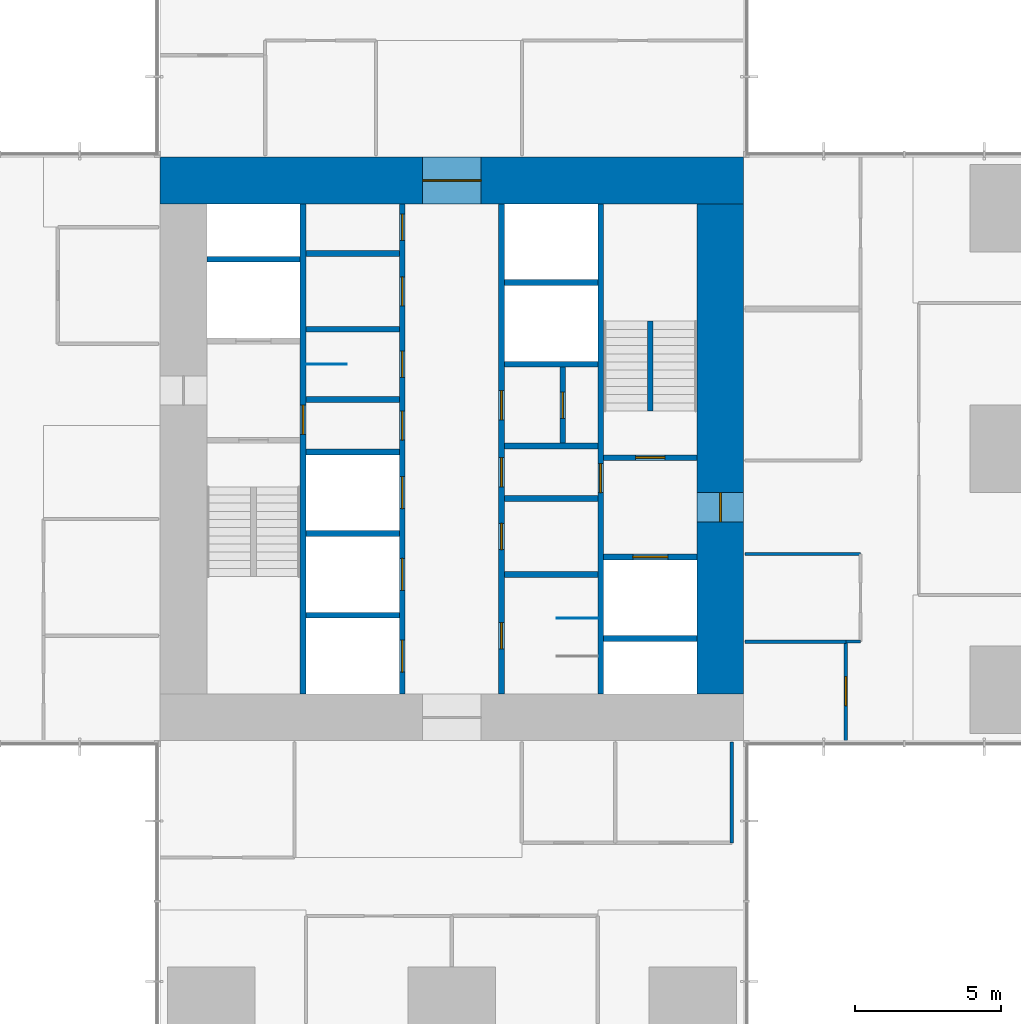
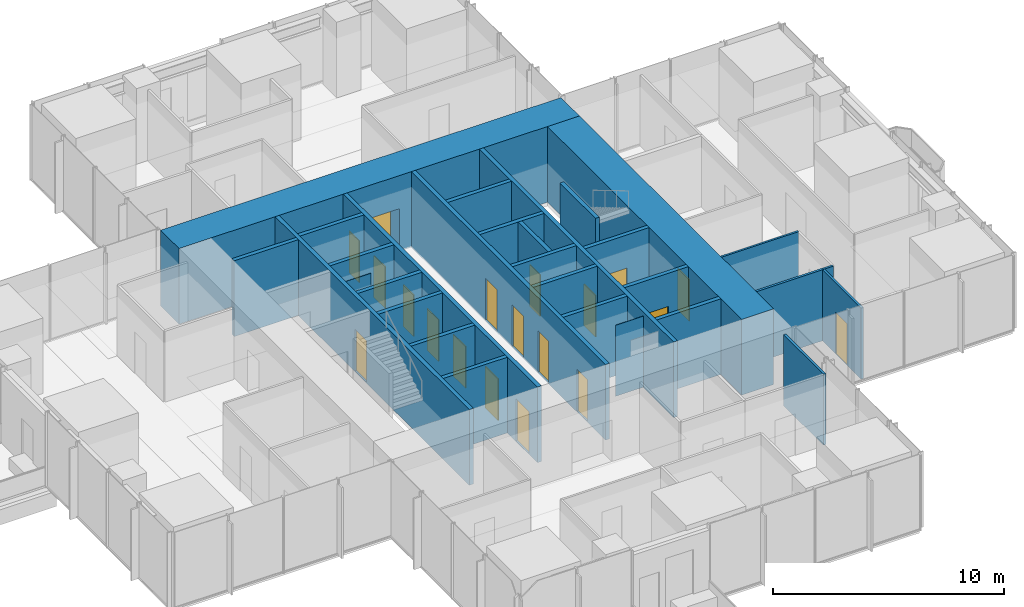
# One storey, part 9 of 13: 30 walls, 19 doors, 19 openings.
"""IFC4 building model written with IfcOpenShell, lengths in metres."""

from ifc_helpers import new_model, si_unit, direction, frame, frame_2d, origin, place, context, subcontext, project, spatial, rectangle, extrude, material, layer, layer_set, type_object, element, fill, save


model = new_model("IFC4")

# Units and contexts
model_context = context("Model", 3, precision=1e-05, world=origin(), true_north=direction((0.0, 1.0)))
body_context = subcontext(model_context, "Body", "Model", "MODEL_VIEW")
ifc_project = project(units=[si_unit("LENGTHUNIT", "METRE"), si_unit("AREAUNIT", "SQUARE_METRE"), si_unit("VOLUMEUNIT", "CUBIC_METRE"), si_unit("PLANEANGLEUNIT", "RADIAN"), si_unit("MASSUNIT", "GRAM", prefix="KILO")], contexts=[model_context])

# Site, building, storey
site_placement = place(None, origin())
site = spatial("IfcSite", under=ifc_project, at=site_placement, CompositionType="ELEMENT")
building_placement = place(site_placement, origin())
building = spatial("IfcBuilding", under=site, at=building_placement, Name="Svetlomir Tower", CompositionType="ELEMENT")
storey_placement = place(building_placement, frame((0.0, 0.0, 116.5)))
storey = spatial("IfcBuildingStorey", under=building, at=storey_placement, Name="L27", CompositionType="ELEMENT", Elevation=116.5)

# Wall, opening, door
ifc_material_1 = material(Name="Concrete C60/75", Category="concrete")
ifc_layer_1 = layer(ifc_material_1, 0.199951171875)
ifc_layer_set_1 = layer_set([ifc_layer_1], Name="Concrete C60/75")
wall_type_1 = type_object("IfcWallType", Name="CORE INNER WALL 200", PredefinedType="SHEAR", material=ifc_layer_set_1)
wall_1_placement = place(storey_placement, frame((15.89990234375, 12.60009765625, -0.050048828125), z_axis=(0.0, 0.0, 1.0), x_axis=(0.0, 1.0, 0.0)))
wall_1 = element("IfcWall", 1, at=wall_1_placement, inside=storey, type_object=wall_type_1, Name="Core inner wall 15.9 L27", PredefinedType="SHEAR", context=body_context, shape_type="SweptSolid", body=[
    extrude(rectangle(XDim=16.7998046875, YDim=0.199951171875, at=frame_2d((8.39990234375, 0.0))), origin(), (0.0, 0.0, 1.0), 4.0),
])
opening_1_placement = place(wall_1_placement, frame((8.89990234375, 0.0, 0.050048828125)))
opening_1 = element("IfcOpeningElement", 2, at=opening_1_placement, cuts=wall_1, Name="Opening DF", PredefinedType="OPENING", context=body_context, shape_type="SweptSolid", body=[
    extrude(rectangle(XDim=1.0, YDim=2.199951171875, at=frame_2d((0.5, 1.10009765625))), frame((0.0, 0.10986328125, 0.0), z_axis=(0.0, -1.0, 0.0), x_axis=(1.0, 0.0, 0.0)), (0.0, 0.0, 1.0), 0.219970703125),
])
ifc_material_2 = material(Name="Steel fire door", Category="steel")
door_type_1 = type_object("IfcDoorType", Name="DOOR DF 1000x2200", OperationType="SINGLE_SWING_LEFT", PredefinedType="DOOR", material=ifc_material_2)
door_1_placement = place(opening_1_placement, origin())
door_1 = element("IfcDoor", 3, at=door_1_placement, inside=storey, type_object=door_type_1, Name="Core corridor west door L27", OperationType="SINGLE_SWING_LEFT", OverallHeight=2.199951171875, OverallWidth=1.0, PredefinedType="DOOR", context=body_context, shape_type="SweptSolid", body=[
    extrude(rectangle(XDim=1.0, YDim=2.199951171875, at=frame_2d((0.5, 1.10009765625))), frame((0.0, 0.02490234375, 0.0), z_axis=(0.0, -1.0, 0.0), x_axis=(1.0, 0.0, 0.0)), (0.0, 0.0, 1.0), 0.050048828125),
])
fill(opening_1, door_1)

# Wall, openings, doors
wall_2_placement = place(storey_placement, frame((19.300048828125, 12.60009765625, -0.050048828125), z_axis=(0.0, 0.0, 1.0), x_axis=(0.0, 1.0, 0.0)))
wall_2 = element("IfcWall", 4, at=wall_2_placement, inside=storey, type_object=wall_type_1, Name="Core inner wall 19.3 L27", PredefinedType="SHEAR", context=body_context, shape_type="SweptSolid", body=[
    extrude(rectangle(XDim=16.7998046875, YDim=0.199951171875, at=frame_2d((8.39990234375, 0.0))), origin(), (0.0, 0.0, 1.0), 4.0),
])
opening_2_placement = place(wall_2_placement, frame((8.699951171875, 0.0, 0.050048828125)))
opening_2 = element("IfcOpeningElement", 5, at=opening_2_placement, cuts=wall_2, Name="Opening DC", PredefinedType="OPENING", context=body_context, shape_type="SweptSolid", body=[
    extrude(rectangle(XDim=1.0, YDim=2.199951171875, at=frame_2d((0.5, 1.10009765625))), frame((0.0, 0.10986328125, 0.0), z_axis=(0.0, -1.0, 0.0), x_axis=(1.0, 0.0, 0.0)), (0.0, 0.0, 1.0), 0.219970703125),
])
opening_3_placement = place(wall_2_placement, frame((10.85009765625, 0.0, 0.050048828125)))
opening_3 = element("IfcOpeningElement", 6, at=opening_3_placement, cuts=wall_2, Name="Opening DW", PredefinedType="OPENING", context=body_context, shape_type="SweptSolid", body=[
    extrude(rectangle(XDim=0.89990234375, YDim=2.199951171875, at=frame_2d((0.449951171875, 1.10009765625))), frame((0.0, 0.10986328125, 0.0), z_axis=(0.0, -1.0, 0.0), x_axis=(1.0, 0.0, 0.0)), (0.0, 0.0, 1.0), 0.219970703125),
])
opening_4_placement = place(wall_2_placement, frame((13.300048828125, 0.0, 0.050048828125)))
opening_4 = element("IfcOpeningElement", 7, at=opening_4_placement, cuts=wall_2, Name="Opening DC", PredefinedType="OPENING", context=body_context, shape_type="SweptSolid", body=[
    extrude(rectangle(XDim=1.0, YDim=2.199951171875, at=frame_2d((0.5, 1.10009765625))), frame((0.0, 0.10986328125, 0.0), z_axis=(0.0, -1.0, 0.0), x_axis=(1.0, 0.0, 0.0)), (0.0, 0.0, 1.0), 0.219970703125),
])
opening_5_placement = place(wall_2_placement, frame((15.550048828125, 0.0, 0.050048828125)))
opening_5 = element("IfcOpeningElement", 8, at=opening_5_placement, cuts=wall_2, Name="Opening DW", PredefinedType="OPENING", context=body_context, shape_type="SweptSolid", body=[
    extrude(rectangle(XDim=0.89990234375, YDim=2.199951171875, at=frame_2d((0.449951171875, 1.10009765625))), frame((0.0, 0.10986328125, 0.0), z_axis=(0.0, -1.0, 0.0), x_axis=(1.0, 0.0, 0.0)), (0.0, 0.0, 1.0), 0.219970703125),
])
opening_6_placement = place(wall_2_placement, frame((0.75, 0.0, 0.050048828125)))
opening_6 = element("IfcOpeningElement", 9, at=opening_6_placement, cuts=wall_2, Name="Opening LD", PredefinedType="OPENING", context=body_context, shape_type="SweptSolid", body=[
    extrude(rectangle(XDim=1.10009765625, YDim=2.199951171875, at=frame_2d((0.550048828125, 1.10009765625))), frame((0.0, 0.10986328125, 0.0), z_axis=(0.0, -1.0, 0.0), x_axis=(1.0, 0.0, 0.0)), (0.0, 0.0, 1.0), 0.219970703125),
])
opening_7_placement = place(wall_2_placement, frame((3.550048828125, 0.0, 0.050048828125)))
opening_7 = element("IfcOpeningElement", 10, at=opening_7_placement, cuts=wall_2, Name="Opening LD", PredefinedType="OPENING", context=body_context, shape_type="SweptSolid", body=[
    extrude(rectangle(XDim=1.10009765625, YDim=2.199951171875, at=frame_2d((0.550048828125, 1.10009765625))), frame((0.0, 0.10986328125, 0.0), z_axis=(0.0, -1.0, 0.0), x_axis=(1.0, 0.0, 0.0)), (0.0, 0.0, 1.0), 0.219970703125),
])
opening_8_placement = place(wall_2_placement, frame((6.35009765625, 0.0, 0.050048828125)))
opening_8 = element("IfcOpeningElement", 11, at=opening_8_placement, cuts=wall_2, Name="Opening LD", PredefinedType="OPENING", context=body_context, shape_type="SweptSolid", body=[
    extrude(rectangle(XDim=1.10009765625, YDim=2.199951171875, at=frame_2d((0.550048828125, 1.10009765625))), frame((0.0, 0.10986328125, 0.0), z_axis=(0.0, -1.0, 0.0), x_axis=(1.0, 0.0, 0.0)), (0.0, 0.0, 1.0), 0.219970703125),
])
ifc_material_3 = material(Name="Timber fire door", Category="wood")
door_type_2 = type_object("IfcDoorType", Name="DOOR DC 1000x2200", OperationType="SINGLE_SWING_LEFT", PredefinedType="DOOR", material=ifc_material_3)
door_2_placement = place(opening_2_placement, origin())
door_2 = element("IfcDoor", 12, at=door_2_placement, inside=storey, type_object=door_type_2, Name="Core corridor west lobby door L27", OperationType="SINGLE_SWING_LEFT", OverallHeight=2.199951171875, OverallWidth=1.0, PredefinedType="DOOR", context=body_context, shape_type="SweptSolid", body=[
    extrude(rectangle(XDim=1.0, YDim=2.199951171875, at=frame_2d((0.5, 1.10009765625))), frame((0.0, 0.02490234375, 0.0), z_axis=(0.0, -1.0, 0.0), x_axis=(1.0, 0.0, 0.0)), (0.0, 0.0, 1.0), 0.050048828125),
])
fill(opening_2, door_2)
door_3_placement = place(opening_4_placement, origin())
door_3 = element("IfcDoor", 13, at=door_3_placement, inside=storey, type_object=door_type_2, Name="Accessible WC door L27", OperationType="SINGLE_SWING_RIGHT", OverallHeight=2.199951171875, OverallWidth=1.0, PredefinedType="DOOR", context=body_context, shape_type="SweptSolid", body=[
    extrude(rectangle(XDim=1.0, YDim=2.199951171875, at=frame_2d((0.5, 1.10009765625))), frame((0.0, 0.02490234375, 0.0), z_axis=(0.0, -1.0, 0.0), x_axis=(1.0, 0.0, 0.0)), (0.0, 0.0, 1.0), 0.050048828125),
])
fill(opening_4, door_3)
ifc_material_4 = material(Name="Timber fire door", Category="wood")
door_type_3 = type_object("IfcDoorType", Name="DOOR DW 900x2200", OperationType="SINGLE_SWING_LEFT", PredefinedType="DOOR", material=ifc_material_4)
door_4_placement = place(opening_3_placement, origin())
door_4 = element("IfcDoor", 14, at=door_4_placement, inside=storey, type_object=door_type_3, Name="Female WC door L27", OperationType="SINGLE_SWING_LEFT", OverallHeight=2.199951171875, OverallWidth=0.89990234375, PredefinedType="DOOR", context=body_context, shape_type="SweptSolid", body=[
    extrude(rectangle(XDim=0.89990234375, YDim=2.199951171875, at=frame_2d((0.449951171875, 1.10009765625))), frame((0.0, 0.02490234375, 0.0), z_axis=(0.0, -1.0, 0.0), x_axis=(1.0, 0.0, 0.0)), (0.0, 0.0, 1.0), 0.050048828125),
])
fill(opening_3, door_4)
door_5_placement = place(opening_5_placement, origin())
door_5 = element("IfcDoor", 15, at=door_5_placement, inside=storey, type_object=door_type_3, Name="IT floor distributor room door L27", OperationType="SINGLE_SWING_LEFT", OverallHeight=2.199951171875, OverallWidth=0.89990234375, PredefinedType="DOOR", context=body_context, shape_type="SweptSolid", body=[
    extrude(rectangle(XDim=0.89990234375, YDim=2.199951171875, at=frame_2d((0.449951171875, 1.10009765625))), frame((0.0, 0.02490234375, 0.0), z_axis=(0.0, -1.0, 0.0), x_axis=(1.0, 0.0, 0.0)), (0.0, 0.0, 1.0), 0.050048828125),
])
fill(opening_5, door_5)
ifc_material_5 = material(Name="Stainless steel landing door", Category="steel")
door_type_4 = type_object("IfcDoorType", Name="LIFT LANDING DOOR LD 1100x2200", OperationType="DOUBLE_DOOR_SLIDING", PredefinedType="DOOR", material=ifc_material_5)
door_6_placement = place(opening_6_placement, origin())
door_6 = element("IfcDoor", 16, at=door_6_placement, inside=storey, type_object=door_type_4, Name="Landing door lift LB1 L27", OperationType="DOUBLE_DOOR_SLIDING", OverallHeight=2.199951171875, OverallWidth=1.10009765625, PredefinedType="DOOR", context=body_context, shape_type="SweptSolid", body=[
    extrude(rectangle(XDim=1.10009765625, YDim=2.199951171875, at=frame_2d((0.550048828125, 1.10009765625))), frame((0.0, 0.02490234375, 0.0), z_axis=(0.0, -1.0, 0.0), x_axis=(1.0, 0.0, 0.0)), (0.0, 0.0, 1.0), 0.050048828125),
])
fill(opening_6, door_6)
door_7_placement = place(opening_7_placement, origin())
door_7 = element("IfcDoor", 17, at=door_7_placement, inside=storey, type_object=door_type_4, Name="Landing door lift LB2 L27", OperationType="DOUBLE_DOOR_SLIDING", OverallHeight=2.199951171875, OverallWidth=1.10009765625, PredefinedType="DOOR", context=body_context, shape_type="SweptSolid", body=[
    extrude(rectangle(XDim=1.10009765625, YDim=2.199951171875, at=frame_2d((0.550048828125, 1.10009765625))), frame((0.0, 0.02490234375, 0.0), z_axis=(0.0, -1.0, 0.0), x_axis=(1.0, 0.0, 0.0)), (0.0, 0.0, 1.0), 0.050048828125),
])
fill(opening_7, door_7)
door_8_placement = place(opening_8_placement, origin())
door_8 = element("IfcDoor", 18, at=door_8_placement, inside=storey, type_object=door_type_4, Name="Landing door lift LB3 L27", OperationType="DOUBLE_DOOR_SLIDING", OverallHeight=2.199951171875, OverallWidth=1.10009765625, PredefinedType="DOOR", context=body_context, shape_type="SweptSolid", body=[
    extrude(rectangle(XDim=1.10009765625, YDim=2.199951171875, at=frame_2d((0.550048828125, 1.10009765625))), frame((0.0, 0.02490234375, 0.0), z_axis=(0.0, -1.0, 0.0), x_axis=(1.0, 0.0, 0.0)), (0.0, 0.0, 1.0), 0.050048828125),
])
fill(opening_8, door_8)

wall_3_placement = place(storey_placement, frame((22.699951171875, 12.60009765625, -0.050048828125), z_axis=(0.0, 0.0, 1.0), x_axis=(0.0, 1.0, 0.0)))
wall_3 = element("IfcWall", 19, at=wall_3_placement, inside=storey, type_object=wall_type_1, Name="Core inner wall 22.7 L27", PredefinedType="SHEAR", context=body_context, shape_type="SweptSolid", body=[
    extrude(rectangle(XDim=16.7998046875, YDim=0.199951171875, at=frame_2d((8.39990234375, 0.0))), origin(), (0.0, 0.0, 1.0), 4.0),
])
opening_9_placement = place(wall_3_placement, frame((7.10009765625, 0.0, 0.050048828125)))
opening_9 = element("IfcOpeningElement", 20, at=opening_9_placement, cuts=wall_3, Name="Opening DC", PredefinedType="OPENING", context=body_context, shape_type="SweptSolid", body=[
    extrude(rectangle(XDim=1.0, YDim=2.199951171875, at=frame_2d((0.5, 1.10009765625))), frame((0.0, 0.10986328125, 0.0), z_axis=(0.0, -1.0, 0.0), x_axis=(1.0, 0.0, 0.0)), (0.0, 0.0, 1.0), 0.219970703125),
])
opening_10_placement = place(wall_3_placement, frame((1.550048828125, 0.0, 0.050048828125)))
opening_10 = element("IfcOpeningElement", 21, at=opening_10_placement, cuts=wall_3, Name="Opening DW", PredefinedType="OPENING", context=body_context, shape_type="SweptSolid", body=[
    extrude(rectangle(XDim=0.89990234375, YDim=2.199951171875, at=frame_2d((0.449951171875, 1.10009765625))), frame((0.0, 0.10986328125, 0.0), z_axis=(0.0, -1.0, 0.0), x_axis=(1.0, 0.0, 0.0)), (0.0, 0.0, 1.0), 0.219970703125),
])
opening_11_placement = place(wall_3_placement, frame((4.949951171875, 0.0, 0.050048828125)))
opening_11 = element("IfcOpeningElement", 22, at=opening_11_placement, cuts=wall_3, Name="Opening DW", PredefinedType="OPENING", context=body_context, shape_type="SweptSolid", body=[
    extrude(rectangle(XDim=0.89990234375, YDim=2.199951171875, at=frame_2d((0.449951171875, 1.10009765625))), frame((0.0, 0.10986328125, 0.0), z_axis=(0.0, -1.0, 0.0), x_axis=(1.0, 0.0, 0.0)), (0.0, 0.0, 1.0), 0.219970703125),
])
opening_12_placement = place(wall_3_placement, frame((9.39990234375, 0.0, 0.050048828125)))
opening_12 = element("IfcOpeningElement", 23, at=opening_12_placement, cuts=wall_3, Name="Opening DC", PredefinedType="OPENING", context=body_context, shape_type="SweptSolid", body=[
    extrude(rectangle(XDim=1.0, YDim=2.199951171875, at=frame_2d((0.5, 1.10009765625))), frame((0.0, 0.10986328125, 0.0), z_axis=(0.0, -1.0, 0.0), x_axis=(1.0, 0.0, 0.0)), (0.0, 0.0, 1.0), 0.219970703125),
])
door_9_placement = place(opening_9_placement, origin())
door_9 = element("IfcDoor", 24, at=door_9_placement, inside=storey, type_object=door_type_2, Name="Core corridor east lobby door L27", OperationType="SINGLE_SWING_RIGHT", OverallHeight=2.199951171875, OverallWidth=1.0, PredefinedType="DOOR", context=body_context, shape_type="SweptSolid", body=[
    extrude(rectangle(XDim=1.0, YDim=2.199951171875, at=frame_2d((0.5, 1.10009765625))), frame((0.0, 0.02490234375, 0.0), z_axis=(0.0, -1.0, 0.0), x_axis=(1.0, 0.0, 0.0)), (0.0, 0.0, 1.0), 0.050048828125),
])
fill(opening_9, door_9)
door_10_placement = place(opening_12_placement, origin())
door_10 = element("IfcDoor", 25, at=door_10_placement, inside=storey, type_object=door_type_2, Name="Converted shaft BANK-E1 room door L27", OperationType="SINGLE_SWING_RIGHT", OverallHeight=2.199951171875, OverallWidth=1.0, PredefinedType="DOOR", context=body_context, shape_type="SweptSolid", body=[
    extrude(rectangle(XDim=1.0, YDim=2.199951171875, at=frame_2d((0.5, 1.10009765625))), frame((0.0, 0.02490234375, 0.0), z_axis=(0.0, -1.0, 0.0), x_axis=(1.0, 0.0, 0.0)), (0.0, 0.0, 1.0), 0.050048828125),
])
fill(opening_12, door_10)
door_11_placement = place(opening_10_placement, origin())
door_11 = element("IfcDoor", 26, at=door_11_placement, inside=storey, type_object=door_type_3, Name="Male WC door L27", OperationType="SINGLE_SWING_RIGHT", OverallHeight=2.199951171875, OverallWidth=0.89990234375, PredefinedType="DOOR", context=body_context, shape_type="SweptSolid", body=[
    extrude(rectangle(XDim=0.89990234375, YDim=2.199951171875, at=frame_2d((0.449951171875, 1.10009765625))), frame((0.0, 0.02490234375, 0.0), z_axis=(0.0, -1.0, 0.0), x_axis=(1.0, 0.0, 0.0)), (0.0, 0.0, 1.0), 0.050048828125),
])
fill(opening_10, door_11)
door_12_placement = place(opening_11_placement, origin())
door_12 = element("IfcDoor", 27, at=door_12_placement, inside=storey, type_object=door_type_3, Name="Comms room door L27", OperationType="SINGLE_SWING_LEFT", OverallHeight=2.199951171875, OverallWidth=0.89990234375, PredefinedType="DOOR", context=body_context, shape_type="SweptSolid", body=[
    extrude(rectangle(XDim=0.89990234375, YDim=2.199951171875, at=frame_2d((0.449951171875, 1.10009765625))), frame((0.0, 0.02490234375, 0.0), z_axis=(0.0, -1.0, 0.0), x_axis=(1.0, 0.0, 0.0)), (0.0, 0.0, 1.0), 0.050048828125),
])
fill(opening_11, door_12)

# Wall, opening, door
wall_4_placement = place(storey_placement, frame((26.10009765625, 12.60009765625, -0.050048828125), z_axis=(0.0, 0.0, 1.0), x_axis=(0.0, 1.0, 0.0)))
wall_4 = element("IfcWall", 28, at=wall_4_placement, inside=storey, type_object=wall_type_1, Name="Core inner wall 26.1 L27", PredefinedType="SHEAR", context=body_context, shape_type="SweptSolid", body=[
    extrude(rectangle(XDim=16.7998046875, YDim=0.199951171875, at=frame_2d((8.39990234375, 0.0))), origin(), (0.0, 0.0, 1.0), 4.0),
])
opening_13_placement = place(wall_4_placement, frame((6.89990234375, 0.0, 0.050048828125)))
opening_13 = element("IfcOpeningElement", 29, at=opening_13_placement, cuts=wall_4, Name="Opening DF", PredefinedType="OPENING", context=body_context, shape_type="SweptSolid", body=[
    extrude(rectangle(XDim=1.0, YDim=2.199951171875, at=frame_2d((0.5, 1.10009765625))), frame((0.0, 0.10986328125, 0.0), z_axis=(0.0, -1.0, 0.0), x_axis=(1.0, 0.0, 0.0)), (0.0, 0.0, 1.0), 0.219970703125),
])
door_13_placement = place(opening_13_placement, origin())
door_13 = element("IfcDoor", 30, at=door_13_placement, inside=storey, type_object=door_type_1, Name="Core corridor east door L27", OperationType="SINGLE_SWING_LEFT", OverallHeight=2.199951171875, OverallWidth=1.0, PredefinedType="DOOR", context=body_context, shape_type="SweptSolid", body=[
    extrude(rectangle(XDim=1.0, YDim=2.199951171875, at=frame_2d((0.5, 1.10009765625))), frame((0.0, 0.02490234375, 0.0), z_axis=(0.0, -1.0, 0.0), x_axis=(1.0, 0.0, 0.0)), (0.0, 0.0, 1.0), 0.050048828125),
])
fill(opening_13, door_13)

# Walls
for number, where, z_axis, x_axis, name in (
    (31, (12.60009765625, 27.5, -0.050048828125), (0.0, 0.0, 1.0), (1.0, 0.0, 0.0), "Core inner wall 12.6-15.8/27.5 L27"),
    (32, (16.0, 15.300048828125, -0.050048828125), (0.0, 0.0, 1.0), (1.0, 0.0, 0.0), "Core inner wall 16-19.2/15.3 L27"),
    (33, (16.0, 18.10009765625, -0.050048828125), (0.0, 0.0, 1.0), (1.0, 0.0, 0.0), "Core inner wall 16-19.2/18.1 L27"),
    (34, (16.0, 20.89990234375, -0.050048828125), (0.0, 0.0, 1.0), (1.0, 0.0, 0.0), "Core inner wall 16-19.2/20.9 L27"),
    (35, (16.0, 22.699951171875, -0.050048828125), (0.0, 0.0, 1.0), (1.0, 0.0, 0.0), "Core inner wall 16-19.2/22.7 L27"),
    (36, (16.0, 25.10009765625, -0.050048828125), (0.0, 0.0, 1.0), (1.0, 0.0, 0.0), "Core inner wall 16-19.2/25.1 L27"),
    (37, (16.0, 27.699951171875, -0.050048828125), (0.0, 0.0, 1.0), (1.0, 0.0, 0.0), "Core inner wall 16-19.2/27.7 L27"),
    (38, (22.800048828125, 16.699951171875, -0.050048828125), (0.0, 0.0, 1.0), (1.0, 0.0, 0.0), "Core inner wall 22.8-26/16.7 L27"),
    (39, (22.800048828125, 19.300048828125, -0.050048828125), (0.0, 0.0, 1.0), (1.0, 0.0, 0.0), "Core inner wall 22.8-26/19.3 L27"),
    (40, (22.800048828125, 21.10009765625, -0.050048828125), (0.0, 0.0, 1.0), (1.0, 0.0, 0.0), "Core inner wall 22.8-26/21.1 L27"),
    (41, (22.800048828125, 23.89990234375, -0.050048828125), (0.0, 0.0, 1.0), (1.0, 0.0, 0.0), "Core inner wall 22.8-26/23.9 L27"),
    (42, (22.800048828125, 26.699951171875, -0.050048828125), (0.0, 0.0, 1.0), (1.0, 0.0, 0.0), "Core inner wall 22.8-26/26.7 L27"),
    (43, (26.199951171875, 14.5, -0.050048828125), (0.0, 0.0, 1.0), (1.0, 0.0, 0.0), "Core inner wall 26.2-29.4/14.5 L27"),
):
    element("IfcWall", number, at=place(storey_placement, frame(where, z_axis=z_axis, x_axis=x_axis)), inside=storey, type_object=wall_type_1, Name=name, PredefinedType="SHEAR", context=body_context, shape_type="SweptSolid", body=[
        extrude(rectangle(XDim=3.199951171875, YDim=0.199951171875, at=frame_2d((1.60009765625, 0.0))), origin(), (0.0, 0.0, 1.0), 4.0),
    ])

# Wall, opening, door
wall_5_placement = place(storey_placement, frame((26.199951171875, 17.300048828125, -0.050048828125), z_axis=(0.0, 0.0, 1.0), x_axis=(1.0, 0.0, 0.0)))
wall_5 = element("IfcWall", 44, at=wall_5_placement, inside=storey, type_object=wall_type_1, Name="Core inner wall 26.2-29.4/17.3 L27", PredefinedType="SHEAR", context=body_context, shape_type="SweptSolid", body=[
    extrude(rectangle(XDim=3.199951171875, YDim=0.199951171875, at=frame_2d((1.60009765625, 0.0))), origin(), (0.0, 0.0, 1.0), 4.0),
])
opening_14_placement = place(wall_5_placement, frame((1.0, 0.0, 0.050048828125)))
opening_14 = element("IfcOpeningElement", 45, at=opening_14_placement, cuts=wall_5, Name="Opening LD3", PredefinedType="OPENING", context=body_context, shape_type="SweptSolid", body=[
    extrude(rectangle(XDim=1.199951171875, YDim=2.199951171875, at=frame_2d((0.60009765625, 1.10009765625))), frame((0.0, 0.10986328125, 0.0), z_axis=(0.0, -1.0, 0.0), x_axis=(1.0, 0.0, 0.0)), (0.0, 0.0, 1.0), 0.219970703125),
])
ifc_material_6 = material(Name="Stainless steel fire-rated landing door", Category="steel")
door_type_5 = type_object("IfcDoorType", Name="FIREFIGHTING LIFT LANDING DOOR LD3 1200x2200", OperationType="DOUBLE_DOOR_SLIDING", PredefinedType="DOOR", material=ifc_material_6)
door_14_placement = place(opening_14_placement, origin())
door_14 = element("IfcDoor", 46, at=door_14_placement, inside=storey, type_object=door_type_5, Name="Landing door lift FL2 L27", OperationType="DOUBLE_DOOR_SLIDING", OverallHeight=2.199951171875, OverallWidth=1.199951171875, PredefinedType="DOOR", context=body_context, shape_type="SweptSolid", body=[
    extrude(rectangle(XDim=1.199951171875, YDim=2.199951171875, at=frame_2d((0.60009765625, 1.10009765625))), frame((0.0, 0.02490234375, 0.0), z_axis=(0.0, -1.0, 0.0), x_axis=(1.0, 0.0, 0.0)), (0.0, 0.0, 1.0), 0.050048828125),
])
fill(opening_14, door_14)

wall_6_placement = place(storey_placement, frame((26.199951171875, 20.699951171875, -0.050048828125), z_axis=(0.0, 0.0, 1.0), x_axis=(1.0, 0.0, 0.0)))
wall_6 = element("IfcWall", 47, at=wall_6_placement, inside=storey, type_object=wall_type_1, Name="Core inner wall 26.2-29.4/20.7 L27", PredefinedType="SHEAR", context=body_context, shape_type="SweptSolid", body=[
    extrude(rectangle(XDim=3.199951171875, YDim=0.199951171875, at=frame_2d((1.60009765625, 0.0))), origin(), (0.0, 0.0, 1.0), 4.0),
])
opening_15_placement = place(wall_6_placement, frame((1.10009765625, 0.0, 0.050048828125)))
opening_15 = element("IfcOpeningElement", 48, at=opening_15_placement, cuts=wall_6, Name="Opening DF", PredefinedType="OPENING", context=body_context, shape_type="SweptSolid", body=[
    extrude(rectangle(XDim=1.0, YDim=2.199951171875, at=frame_2d((0.5, 1.10009765625))), frame((0.0, 0.10986328125, 0.0), z_axis=(0.0, -1.0, 0.0), x_axis=(1.0, 0.0, 0.0)), (0.0, 0.0, 1.0), 0.219970703125),
])
door_15_placement = place(opening_15_placement, origin())
door_15 = element("IfcDoor", 49, at=door_15_placement, inside=storey, type_object=door_type_1, Name="Stair S2 door L27", OperationType="SINGLE_SWING_RIGHT", OverallHeight=2.199951171875, OverallWidth=1.0, PredefinedType="DOOR", context=body_context, shape_type="SweptSolid", body=[
    extrude(rectangle(XDim=1.0, YDim=2.199951171875, at=frame_2d((0.5, 1.10009765625))), frame((0.0, 0.02490234375, 0.0), z_axis=(0.0, -1.0, 0.0), x_axis=(1.0, 0.0, 0.0)), (0.0, 0.0, 1.0), 0.050048828125),
])
fill(opening_15, door_15)

wall_7_placement = place(storey_placement, frame((24.800048828125, 21.199951171875, -0.050048828125), z_axis=(0.0, 0.0, 1.0), x_axis=(0.0, 1.0, 0.0)))
wall_7 = element("IfcWall", 50, at=wall_7_placement, inside=storey, type_object=wall_type_1, Name="Core inner wall 24.8/21.2-23.8 L27", PredefinedType="SHEAR", context=body_context, shape_type="SweptSolid", body=[
    extrude(rectangle(XDim=2.60009765625, YDim=0.199951171875, at=frame_2d((1.300048828125, 0.0))), origin(), (0.0, 0.0, 1.0), 4.0),
])
opening_16_placement = place(wall_7_placement, frame((0.85009765625, 0.0, 0.050048828125)))
opening_16 = element("IfcOpeningElement", 51, at=opening_16_placement, cuts=wall_7, Name="Opening DW", PredefinedType="OPENING", context=body_context, shape_type="SweptSolid", body=[
    extrude(rectangle(XDim=0.89990234375, YDim=2.199951171875, at=frame_2d((0.449951171875, 1.10009765625))), frame((0.0, 0.10986328125, 0.0), z_axis=(0.0, -1.0, 0.0), x_axis=(1.0, 0.0, 0.0)), (0.0, 0.0, 1.0), 0.219970703125),
])
door_16_placement = place(opening_16_placement, origin())
door_16 = element("IfcDoor", 52, at=door_16_placement, inside=storey, type_object=door_type_3, Name="Converted shaft BANK-E1 back room door L27", OperationType="SINGLE_SWING_LEFT", OverallHeight=2.199951171875, OverallWidth=0.89990234375, PredefinedType="DOOR", context=body_context, shape_type="SweptSolid", body=[
    extrude(rectangle(XDim=0.89990234375, YDim=2.199951171875, at=frame_2d((0.449951171875, 1.10009765625))), frame((0.0, 0.02490234375, 0.0), z_axis=(0.0, -1.0, 0.0), x_axis=(1.0, 0.0, 0.0)), (0.0, 0.0, 1.0), 0.050048828125),
])
fill(opening_16, door_16)

ifc_material_7 = material(Name="Concrete C60/75", Category="concrete")
ifc_layer_2 = layer(ifc_material_7, 1.60009765625)
ifc_layer_set_2 = layer_set([ifc_layer_2], Name="Concrete C60/75")
wall_type_2 = type_object("IfcWallType", Name="CORE WALL 1600", PredefinedType="SHEAR", material=ifc_layer_set_2)
wall_8_placement = place(storey_placement, frame((11.0, 30.199951171875, -0.050048828125), z_axis=(0.0, 0.0, 1.0), x_axis=(1.0, 0.0, 0.0)))
wall_8 = element("IfcWall", 53, at=wall_8_placement, inside=storey, type_object=wall_type_2, Name="Core wall north L27", PredefinedType="SHEAR", context=body_context, shape_type="SweptSolid", body=[
    extrude(rectangle(XDim=20.0, YDim=1.60009765625, at=frame_2d((10.0, 0.0))), origin(), (0.0, 0.0, 1.0), 4.0),
])
opening_17_placement = place(wall_8_placement, frame((9.0, 0.0, 0.050048828125)))
opening_17 = element("IfcOpeningElement", 54, at=opening_17_placement, cuts=wall_8, Name="Opening DL", PredefinedType="OPENING", context=body_context, shape_type="SweptSolid", body=[
    extrude(rectangle(XDim=2.0, YDim=2.199951171875, at=frame_2d((1.0, 1.10009765625))), frame((0.0, 0.81005859375, 0.0), z_axis=(0.0, -1.0, 0.0), x_axis=(1.0, 0.0, 0.0)), (0.0, 0.0, 1.0), 1.6201171875),
])
ifc_material_8 = material(Name="Steel fire door", Category="steel")
door_type_6 = type_object("IfcDoorType", Name="DOOR DL 2000x2200", OperationType="DOUBLE_DOOR_SINGLE_SWING", PredefinedType="DOOR", material=ifc_material_8)
door_17_placement = place(opening_17_placement, origin())
door_17 = element("IfcDoor", 55, at=door_17_placement, inside=storey, type_object=door_type_6, Name="Lift lobby north door L27", OperationType="DOUBLE_DOOR_SINGLE_SWING", OverallHeight=2.199951171875, OverallWidth=2.0, PredefinedType="DOOR", context=body_context, shape_type="SweptSolid", body=[
    extrude(rectangle(XDim=2.0, YDim=2.199951171875, at=frame_2d((1.0, 1.10009765625))), frame((0.0, 0.02490234375, 0.0), z_axis=(0.0, -1.0, 0.0), x_axis=(1.0, 0.0, 0.0)), (0.0, 0.0, 1.0), 0.050048828125),
])
fill(opening_17, door_17)

wall_9_placement = place(storey_placement, frame((30.199951171875, 12.60009765625, -0.050048828125), z_axis=(0.0, 0.0, 1.0), x_axis=(0.0, 1.0, 0.0)))
wall_9 = element("IfcWall", 56, at=wall_9_placement, inside=storey, type_object=wall_type_2, Name="Core wall east L27", PredefinedType="SHEAR", context=body_context, shape_type="SweptSolid", body=[
    extrude(rectangle(XDim=16.7998046875, YDim=1.60009765625, at=frame_2d((8.39990234375, 0.0))), origin(), (0.0, 0.0, 1.0), 4.0),
])
opening_18_placement = place(wall_9_placement, frame((5.89990234375, 0.0, 0.050048828125)))
opening_18 = element("IfcOpeningElement", 57, at=opening_18_placement, cuts=wall_9, Name="Opening DF", PredefinedType="OPENING", context=body_context, shape_type="SweptSolid", body=[
    extrude(rectangle(XDim=1.0, YDim=2.199951171875, at=frame_2d((0.5, 1.10009765625))), frame((0.0, 0.81005859375, 0.0), z_axis=(0.0, -1.0, 0.0), x_axis=(1.0, 0.0, 0.0)), (0.0, 0.0, 1.0), 1.6201171875),
])
door_18_placement = place(opening_18_placement, origin())
door_18 = element("IfcDoor", 58, at=door_18_placement, inside=storey, type_object=door_type_1, Name="Firefighting lobby east door L27", OperationType="SINGLE_SWING_RIGHT", OverallHeight=2.199951171875, OverallWidth=1.0, PredefinedType="DOOR", context=body_context, shape_type="SweptSolid", body=[
    extrude(rectangle(XDim=1.0, YDim=2.199951171875, at=frame_2d((0.5, 1.10009765625))), frame((0.0, 0.02490234375, 0.0), z_axis=(0.0, -1.0, 0.0), x_axis=(1.0, 0.0, 0.0)), (0.0, 0.0, 1.0), 0.050048828125),
])
fill(opening_18, door_18)

# Walls
ifc_material_9 = material(Name="Framed laminated glass partition", Category="glass")
ifc_layer_3 = layer(ifc_material_9, 0.10009765625)
ifc_layer_set_3 = layer_set([ifc_layer_3], Name="Framed laminated glass partition")
wall_type_3 = type_object("IfcWallType", Name="GLAZED PARTITION 100", PredefinedType="PARTITIONING", material=ifc_layer_set_3)
wall_10_placement = place(storey_placement, frame((31.050048828125, 17.39990234375, 0.0), z_axis=(0.0, 0.0, 1.0), x_axis=(1.0, 0.0, 0.0)))
element("IfcWall", 59, at=wall_10_placement, inside=storey, type_object=wall_type_3, Name="Glazed partition L27", PredefinedType="PARTITIONING", context=body_context, shape_type="SweptSolid", body=[
    extrude(rectangle(XDim=3.949951171875, YDim=0.10009765625, at=frame_2d((1.97509765625, 0.0))), origin(), (0.0, 0.0, 1.0), 3.75),
])
wall_11_placement = place(storey_placement, frame((34.5, 14.39990234375, 0.0), z_axis=(0.0, 0.0, 1.0), x_axis=(1.0, 0.0, 0.0)))
element("IfcWall", 60, at=wall_11_placement, inside=storey, type_object=wall_type_3, Name="Glazed partition L27", PredefinedType="PARTITIONING", context=body_context, shape_type="SweptSolid", body=[
    extrude(rectangle(XDim=0.5, YDim=0.10009765625, at=frame_2d((0.25, 0.0))), origin(), (0.0, 0.0, 1.0), 3.75),
])
ifc_material_10 = material(Name="Gypsum board on steel studs", Category="steel")
ifc_layer_4 = layer(ifc_material_10, 0.1201171875)
ifc_layer_set_4 = layer_set([ifc_layer_4], Name="Gypsum board on steel studs")
wall_type_4 = type_object("IfcWallType", Name="PARTITION 120", PredefinedType="PARTITIONING", material=ifc_layer_set_4)
for number, where, z_axis, x_axis, name in (
    (61, (30.60009765625, 7.5, 0.0), (0.0, 0.0, 1.0), (0.0, 1.0, 0.0), "Partition L27"),
    (62, (31.050048828125, 14.39990234375, 0.0), (0.0, 0.0, 1.0), (1.0, 0.0, 0.0), "Partition L27"),
):
    element("IfcWall", number, at=place(storey_placement, frame(where, z_axis=z_axis, x_axis=x_axis)), inside=storey, type_object=wall_type_4, Name=name, PredefinedType="PARTITIONING", context=body_context, shape_type="SweptSolid", body=[
        extrude(rectangle(XDim=3.449951171875, YDim=0.1201171875, at=frame_2d((1.72509765625, 0.0))), origin(), (0.0, 0.0, 1.0), 3.75),
    ])

# Wall, opening, door
wall_12_placement = place(storey_placement, frame((34.5, 11.0, 0.0), z_axis=(0.0, 0.0, 1.0), x_axis=(0.0, 1.0, 0.0)))
wall_12 = element("IfcWall", 63, at=wall_12_placement, inside=storey, type_object=wall_type_4, Name="Partition L27", PredefinedType="PARTITIONING", context=body_context, shape_type="SweptSolid", body=[
    extrude(rectangle(XDim=3.39990234375, YDim=0.1201171875, at=frame_2d((1.699951171875, 0.0))), origin(), (0.0, 0.0, 1.0), 3.75),
])
opening_19_placement = place(wall_12_placement, frame((1.199951171875, 0.0, 0.0)))
opening_19 = element("IfcOpeningElement", 64, at=opening_19_placement, cuts=wall_12, Name="Opening DR", PredefinedType="OPENING", context=body_context, shape_type="SweptSolid", body=[
    extrude(rectangle(XDim=1.0, YDim=2.199951171875, at=frame_2d((0.5, 1.10009765625))), frame((0.0, 0.070068359375, 0.0), z_axis=(0.0, -1.0, 0.0), x_axis=(1.0, 0.0, 0.0)), (0.0, 0.0, 1.0), 0.14013671875),
])
ifc_material_11 = material(Name="Timber door, glazed side light", Category="wood")
door_type_7 = type_object("IfcDoorType", Name="DOOR DR 1000x2200", OperationType="SINGLE_SWING_LEFT", PredefinedType="DOOR", material=ifc_material_11)
door_19_placement = place(opening_19_placement, origin())
door_19 = element("IfcDoor", 65, at=door_19_placement, inside=storey, type_object=door_type_7, Name="Secure store door L27", OperationType="SINGLE_SWING_RIGHT", OverallHeight=2.199951171875, OverallWidth=1.0, PredefinedType="DOOR", context=body_context, shape_type="SweptSolid", body=[
    extrude(rectangle(XDim=1.0, YDim=2.199951171875, at=frame_2d((0.5, 1.10009765625))), frame((0.0, 0.02490234375, 0.0), z_axis=(0.0, -1.0, 0.0), x_axis=(1.0, 0.0, 0.0)), (0.0, 0.0, 1.0), 0.050048828125),
])
fill(opening_19, door_19)

# Walls
ifc_material_12 = material(Name="Concrete C60/75", Category="concrete")
ifc_layer_5 = layer(ifc_material_12, 0.199951171875)
ifc_layer_set_5 = layer_set([ifc_layer_5], Name="Concrete C60/75")
wall_type_5 = type_object("IfcWallType", Name="STAIR SPINE WALL 200", PredefinedType="PARTITIONING", material=ifc_layer_set_5)
wall_13_placement = place(storey_placement, frame((27.800048828125, 22.300048828125, 0.0), z_axis=(0.0, 0.0, 1.0), x_axis=(0.0, 1.0, 0.0)))
element("IfcWall", 66, at=wall_13_placement, inside=storey, type_object=wall_type_5, Name="Stair S2 spine wall L27", PredefinedType="PARTITIONING", context=body_context, shape_type="SweptSolid", body=[
    extrude(rectangle(XDim=3.079833984375, YDim=0.199951171875, at=frame_2d((1.5400390625, 0.0))), origin(), (0.0, 0.0, 1.0), 4.0),
])
ifc_material_13 = material(Name="Compact laminate panel", Category="plastic")
ifc_layer_6 = layer(ifc_material_13, 0.030029296875)
ifc_layer_set_6 = layer_set([ifc_layer_6], Name="Compact laminate panel")
wall_type_6 = type_object("IfcWallType", Name="WC CUBICLE PARTITION 30", PredefinedType="PARTITIONING", material=ifc_layer_set_6)
for number, where, z_axis, x_axis, name in (
    (67, (24.60009765625, 15.199951171875, 0.0), (0.0, 0.0, 1.0), (1.0, 0.0, 0.0), "WC cubicle partition L27"),
    (68, (16.0, 23.89990234375, 0.0), (0.0, 0.0, 1.0), (1.0, 0.0, 0.0), "WC cubicle partition L27"),
):
    element("IfcWall", number, at=place(storey_placement, frame(where, z_axis=z_axis, x_axis=x_axis)), inside=storey, type_object=wall_type_6, Name=name, PredefinedType="PARTITIONING", context=body_context, shape_type="SweptSolid", body=[
        extrude(rectangle(XDim=1.39990234375, YDim=0.030029296875, at=frame_2d((0.699951171875, 0.0))), origin(), (0.0, 0.0, 1.0), 3.75),
    ])

save(model, "model.ifc")
